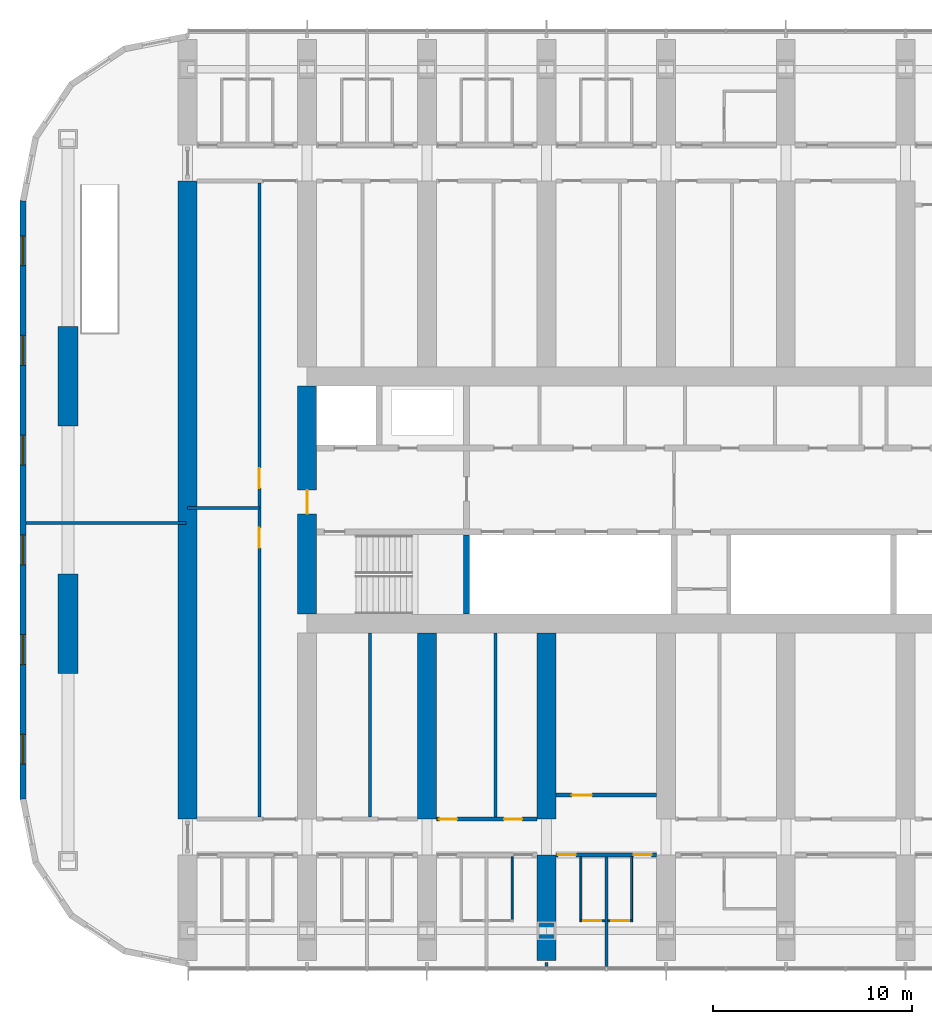
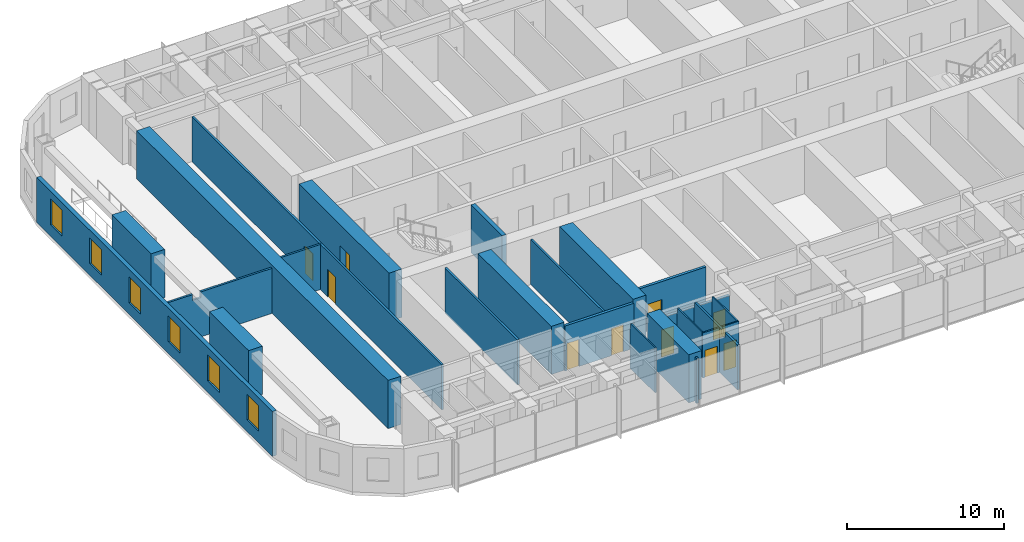
# One storey, part 9 of 22: 24 walls, 10 doors, 6 windows, 16 openings.
"""IFC4 building model written with IfcOpenShell, lengths in metres."""

from ifc_helpers import new_model, si_unit, direction, frame, frame_2d, origin, place, context, subcontext, project, spatial, polyline, rectangle, outline, extrude, material, layer, layer_set, type_object, element, fill, save


model = new_model("IFC4")

# Units and contexts
model_context = context("Model", 3, precision=1e-05, world=origin(), true_north=direction((0.0, 1.0)))
body_context = subcontext(model_context, "Body", "Model", "MODEL_VIEW")
ifc_project = project(units=[si_unit("LENGTHUNIT", "METRE"), si_unit("AREAUNIT", "SQUARE_METRE"), si_unit("VOLUMEUNIT", "CUBIC_METRE"), si_unit("PLANEANGLEUNIT", "RADIAN"), si_unit("MASSUNIT", "GRAM", prefix="KILO")], contexts=[model_context])

# Site, building, storey
site_placement = place(None, origin())
site = spatial("IfcSite", under=ifc_project, at=site_placement, CompositionType="ELEMENT")
building_placement = place(site_placement, origin())
building = spatial("IfcBuilding", under=site, at=building_placement, Name="Orbita Commons", CompositionType="ELEMENT")
storey_placement = place(building_placement, frame((0.0, 0.0, 118.14990234375)))
storey = spatial("IfcBuildingStorey", under=building, at=storey_placement, Name="L29", CompositionType="ELEMENT", Elevation=118.14990234375)

# Wall
ifc_material_1 = material(Name="Concrete C50/60", Category="concrete")
ifc_layer_1 = layer(ifc_material_1, 0.300048828125)
ifc_layer_set_1 = layer_set([ifc_layer_1], Name="Concrete C50/60")
wall_type_1 = type_object("IfcWallType", Name="Core inner wall 300 C50/60", PredefinedType="SHEAR", material=ifc_layer_set_1)
wall_1_placement = place(storey_placement, frame((26.0, 26.27490234375, 0.0), z_axis=(0.0, 0.0, 1.0), x_axis=(0.0, 1.0, 0.0)))
element("IfcWall", 1, at=wall_1_placement, inside=storey, type_object=wall_type_1, Name="Stair S1 wall L29", PredefinedType="SHEAR", context=body_context, shape_type="SweptSolid", body=[
    extrude(rectangle(XDim=3.97509765625, YDim=0.300048828125, at=frame_2d((1.987548828125, 0.0))), origin(), (0.0, 0.0, 1.0), 3.75),
])

# Wall, opening, door
ifc_material_2 = material(Name="Concrete C50/60", Category="concrete")
ifc_layer_2 = layer(ifc_material_2, 0.949951171875)
ifc_layer_set_2 = layer_set([ifc_layer_2], Name="Concrete C50/60")
wall_type_2 = type_object("IfcWallType", Name="Core wall 950 C50/60", PredefinedType="SHEAR", material=ifc_layer_set_2)
wall_2_placement = place(storey_placement, frame((18.0, 26.27490234375, 0.0), z_axis=(0.0, 0.0, 1.0), x_axis=(0.0, 1.0, 0.0)))
wall_2 = element("IfcWall", 2, at=wall_2_placement, inside=storey, type_object=wall_type_2, Name="Core end wall west L29", PredefinedType="SHEAR", context=body_context, shape_type="SweptSolid", body=[
    extrude(rectangle(XDim=11.4501953125, YDim=0.949951171875, at=frame_2d((5.72509765625, 0.0))), origin(), (0.0, 0.0, 1.0), 3.75),
])
opening_1_placement = place(wall_2_placement, frame((5.02490234375, 0.0, 0.0)))
opening_1 = element("IfcOpeningElement", 3, at=opening_1_placement, cuts=wall_2, Name="Opening D01", PredefinedType="OPENING", context=body_context, shape_type="SweptSolid", body=[
    extrude(rectangle(XDim=1.199951171875, YDim=2.10009765625, at=frame_2d((0.60009765625, 1.050048828125))), frame((0.0, 0.48486328125, 0.0), z_axis=(0.0, -1.0, 0.0), x_axis=(1.0, 0.0, 0.0)), (0.0, 0.0, 1.0), 0.969970703125),
])
ifc_material_3 = material(Name="Steel-faced fire door leaf", Category="steel")
door_type_1 = type_object("IfcDoorType", Name="Fire door 90 min 1200x2100", OperationType="SINGLE_SWING_LEFT", PredefinedType="DOOR", material=ifc_material_3)
door_1_placement = place(opening_1_placement, origin())
door_1 = element("IfcDoor", 4, at=door_1_placement, inside=storey, type_object=door_type_1, Name="Firefighting lobby west door", OperationType="SINGLE_SWING_LEFT", OverallHeight=2.10009765625, OverallWidth=1.199951171875, PredefinedType="DOOR", context=body_context, shape_type="SweptSolid", body=[
    extrude(rectangle(XDim=1.199951171875, YDim=2.10009765625, at=frame_2d((0.60009765625, 1.050048828125))), frame((0.0, 0.02490234375, 0.0), z_axis=(0.0, -1.0, 0.0), x_axis=(1.0, 0.0, 0.0)), (0.0, 0.0, 1.0), 0.050048828125),
])
fill(opening_1, door_1)

# Wall, openings, doors
ifc_material_4 = material(Name="Concrete blockwork", Category="masonry")
ifc_layer_3 = layer(ifc_material_4, 0.199951171875)
ifc_layer_set_3 = layer_set([ifc_layer_3], Name="Concrete blockwork")
wall_type_3 = type_object("IfcWallType", Name="Corridor wall 200 blockwork", PredefinedType="SOLIDWALL", material=ifc_layer_set_3)
wall_3_placement = place(storey_placement, frame((30.47509765625, 14.199951171875, 0.0), z_axis=(0.0, 0.0, 1.0), x_axis=(1.0, 0.0, 0.0)))
wall_3 = element("IfcWall", 5, at=wall_3_placement, inside=storey, type_object=wall_type_3, Name="Corridor wall 200 blockwork L29", PredefinedType="SOLIDWALL", context=body_context, shape_type="SweptSolid", body=[
    extrude(outline(polyline([(0.0, 0.0), (5.0498046875, 0.0), (5.050048828125, 3.10009765625), (0.0, 3.10009765625), (0.0, 0.0)])), frame((0.0, 0.10009765625, 0.0), z_axis=(0.0, -1.0, 0.0), x_axis=(1.0, 0.0, 0.0)), (0.0, 0.0, 1.0), 0.199951171875),
])
opening_2_placement = place(wall_3_placement, frame((0.10009765625, 0.0, 0.0)))
opening_2 = element("IfcOpeningElement", 6, at=opening_2_placement, cuts=wall_3, Name="Opening D11", PredefinedType="OPENING", context=body_context, shape_type="SweptSolid", body=[
    extrude(rectangle(XDim=0.89990234375, YDim=2.10009765625, at=frame_2d((0.449951171875, 1.050048828125))), frame((0.0, 0.10986328125, 0.0), z_axis=(0.0, -1.0, 0.0), x_axis=(1.0, 0.0, 0.0)), (0.0, 0.0, 1.0), 0.219970703125),
])
opening_3_placement = place(wall_3_placement, frame((3.89990234375, 0.0, 0.0)))
opening_3 = element("IfcOpeningElement", 7, at=opening_3_placement, cuts=wall_3, Name="Opening D11", PredefinedType="OPENING", context=body_context, shape_type="SweptSolid", body=[
    extrude(rectangle(XDim=0.89990234375, YDim=2.10009765625, at=frame_2d((0.449951171875, 1.050048828125))), frame((0.0, 0.10986328125, 0.0), z_axis=(0.0, -1.0, 0.0), x_axis=(1.0, 0.0, 0.0)), (0.0, 0.0, 1.0), 0.219970703125),
])
ifc_material_5 = material(Name="Steel-faced fire door leaf", Category="steel")
door_type_2 = type_object("IfcDoorType", Name="Corridor door 20 min 900x2100", OperationType="SINGLE_SWING_LEFT", PredefinedType="DOOR", material=ifc_material_5)
door_2_placement = place(opening_2_placement, origin())
door_2 = element("IfcDoor", 8, at=door_2_placement, inside=storey, type_object=door_type_2, Name="Cluster bedroom L29-S06 door", OperationType="SINGLE_SWING_LEFT", OverallHeight=2.10009765625, OverallWidth=0.89990234375, PredefinedType="DOOR", context=body_context, shape_type="SweptSolid", body=[
    extrude(rectangle(XDim=0.89990234375, YDim=2.10009765625, at=frame_2d((0.449951171875, 1.050048828125))), frame((0.0, 0.02490234375, 0.0), z_axis=(0.0, -1.0, 0.0), x_axis=(1.0, 0.0, 0.0)), (0.0, 0.0, 1.0), 0.050048828125),
])
fill(opening_2, door_2)
door_3_placement = place(opening_3_placement, origin())
door_3 = element("IfcDoor", 9, at=door_3_placement, inside=storey, type_object=door_type_2, Name="Cluster bedroom L29-S07 door", OperationType="SINGLE_SWING_LEFT", OverallHeight=2.10009765625, OverallWidth=0.89990234375, PredefinedType="DOOR", context=body_context, shape_type="SweptSolid", body=[
    extrude(rectangle(XDim=0.89990234375, YDim=2.10009765625, at=frame_2d((0.449951171875, 1.050048828125))), frame((0.0, 0.02490234375, 0.0), z_axis=(0.0, -1.0, 0.0), x_axis=(1.0, 0.0, 0.0)), (0.0, 0.0, 1.0), 0.050048828125),
])
fill(opening_3, door_3)

ifc_material_6 = material(Name="Hollow concrete block 200", Category="concrete")
ifc_layer_4 = layer(ifc_material_6, 0.199951171875)
ifc_layer_set_4 = layer_set([ifc_layer_4], Name="Hollow concrete block 200")
wall_type_4 = type_object("IfcWallType", Name="Corridor wall 200 hollow concrete block", PredefinedType="SOLIDWALL", material=ifc_layer_set_4)
wall_4_placement = place(storey_placement, frame((24.47509765625, 16.0, 0.0), z_axis=(0.0, 0.0, 1.0), x_axis=(1.0, 0.0, 0.0)))
wall_4 = element("IfcWall", 10, at=wall_4_placement, inside=storey, type_object=wall_type_4, Name="Corridor wall 200 hollow concrete block L29", PredefinedType="SOLIDWALL", context=body_context, shape_type="SweptSolid", body=[
    extrude(rectangle(XDim=5.0498046875, YDim=0.199951171875, at=frame_2d((2.52490234375, 0.0))), origin(), (0.0, 0.0, 1.0), 3.5),
])
opening_4_placement = place(wall_4_placement, frame((0.14990234375, 0.0, 0.0)))
opening_4 = element("IfcOpeningElement", 11, at=opening_4_placement, cuts=wall_4, Name="Opening D11", PredefinedType="OPENING", context=body_context, shape_type="SweptSolid", body=[
    extrude(rectangle(XDim=0.89990234375, YDim=2.10009765625, at=frame_2d((0.449951171875, 1.050048828125))), frame((0.0, 0.10986328125, 0.0), z_axis=(0.0, -1.0, 0.0), x_axis=(1.0, 0.0, 0.0)), (0.0, 0.0, 1.0), 0.219970703125),
])
opening_5_placement = place(wall_4_placement, frame((3.405029296875, 0.0, 0.0)))
opening_5 = element("IfcOpeningElement", 12, at=opening_5_placement, cuts=wall_4, Name="Opening D11", PredefinedType="OPENING", context=body_context, shape_type="SweptSolid", body=[
    extrude(rectangle(XDim=0.89990234375, YDim=2.10009765625, at=frame_2d((0.449951171875, 1.050048828125))), frame((0.0, 0.10986328125, 0.0), z_axis=(0.0, -1.0, 0.0), x_axis=(1.0, 0.0, 0.0)), (0.0, 0.0, 1.0), 0.219970703125),
])
door_4_placement = place(opening_4_placement, origin())
door_4 = element("IfcDoor", 13, at=door_4_placement, inside=storey, type_object=door_type_2, Name="Quiet room L29-BDS24 door", OperationType="SINGLE_SWING_LEFT", OverallHeight=2.10009765625, OverallWidth=0.89990234375, PredefinedType="DOOR", context=body_context, shape_type="SweptSolid", body=[
    extrude(rectangle(XDim=0.89990234375, YDim=2.10009765625, at=frame_2d((0.449951171875, 1.050048828125))), frame((0.0, 0.02490234375, 0.0), z_axis=(0.0, -1.0, 0.0), x_axis=(1.0, 0.0, 0.0)), (0.0, 0.0, 1.0), 0.050048828125),
])
fill(opening_4, door_4)
door_5_placement = place(opening_5_placement, origin())
door_5 = element("IfcDoor", 14, at=door_5_placement, inside=storey, type_object=door_type_2, Name="Equipment store L29-BDS24n door", OperationType="SINGLE_SWING_LEFT", OverallHeight=2.10009765625, OverallWidth=0.89990234375, PredefinedType="DOOR", context=body_context, shape_type="SweptSolid", body=[
    extrude(rectangle(XDim=0.89990234375, YDim=2.10009765625, at=frame_2d((0.449951171875, 1.050048828125))), frame((0.0, 0.02490234375, 0.0), z_axis=(0.0, -1.0, 0.0), x_axis=(1.0, 0.0, 0.0)), (0.0, 0.0, 1.0), 0.050048828125),
])
fill(opening_5, door_5)

# Wall, opening, door
wall_5_placement = place(storey_placement, frame((30.47509765625, 17.199951171875, 0.0), z_axis=(0.0, 0.0, 1.0), x_axis=(1.0, 0.0, 0.0)))
wall_5 = element("IfcWall", 15, at=wall_5_placement, inside=storey, type_object=wall_type_4, Name="Corridor wall 200 hollow concrete block L29", PredefinedType="SOLIDWALL", context=body_context, shape_type="SweptSolid", body=[
    extrude(rectangle(XDim=5.0498046875, YDim=0.199951171875, at=frame_2d((2.52490234375, 0.0))), origin(), (0.0, 0.0, 1.0), 3.5),
])
opening_6_placement = place(wall_5_placement, frame((0.800048828125, 0.0, 0.0)))
opening_6 = element("IfcOpeningElement", 16, at=opening_6_placement, cuts=wall_5, Name="Opening D06", PredefinedType="OPENING", context=body_context, shape_type="SweptSolid", body=[
    extrude(rectangle(XDim=1.0, YDim=2.10009765625, at=frame_2d((0.5, 1.050048828125))), frame((0.0, 0.10986328125, 0.0), z_axis=(0.0, -1.0, 0.0), x_axis=(1.0, 0.0, 0.0)), (0.0, 0.0, 1.0), 0.219970703125),
])
ifc_material_7 = material(Name="Steel-faced fire door leaf", Category="steel")
door_type_3 = type_object("IfcDoorType", Name="Corridor door 20 min 1000x2100", OperationType="SINGLE_SWING_LEFT", PredefinedType="DOOR", material=ifc_material_7)
door_6_placement = place(opening_6_placement, origin())
door_6 = element("IfcDoor", 17, at=door_6_placement, inside=storey, type_object=door_type_3, Name="Linen store L29-BDS30 door", OperationType="SINGLE_SWING_LEFT", OverallHeight=2.10009765625, OverallWidth=1.0, PredefinedType="DOOR", context=body_context, shape_type="SweptSolid", body=[
    extrude(rectangle(XDim=1.0, YDim=2.10009765625, at=frame_2d((0.5, 1.050048828125))), frame((0.0, 0.02490234375, 0.0), z_axis=(0.0, -1.0, 0.0), x_axis=(1.0, 0.0, 0.0)), (0.0, 0.0, 1.0), 0.050048828125),
])
fill(opening_6, door_6)

# Walls
ifc_material_8 = material(Name="Concrete C50/60", Category="concrete")
ifc_layer_5 = layer(ifc_material_8, 0.949951171875)
ifc_layer_set_5 = layer_set([ifc_layer_5], Name="Concrete C50/60")
wall_type_5 = type_object("IfcWallType", Name="Cross wall 950 C50/60", PredefinedType="SHEAR", material=ifc_layer_set_5)
wall_6_placement = place(storey_placement, frame((12.0, 16.0, 0.0), z_axis=(0.0, 0.0, 1.0), x_axis=(0.0, 1.0, 0.0)))
element("IfcWall", 18, at=wall_6_placement, inside=storey, type_object=wall_type_5, Name="Cross wall 3 inner L29", PredefinedType="SHEAR", context=body_context, shape_type="SweptSolid", body=[
    extrude(rectangle(XDim=32.0, YDim=0.949951171875, at=frame_2d((16.0, 0.0))), origin(), (0.0, 0.0, 1.0), 3.75),
])
wall_7_placement = place(storey_placement, frame((24.0, 16.0, 0.0), z_axis=(0.0, 0.0, 1.0), x_axis=(0.0, 1.0, 0.0)))
element("IfcWall", 19, at=wall_7_placement, inside=storey, type_object=wall_type_5, Name="Cross wall 5 south inner L29", PredefinedType="SHEAR", context=body_context, shape_type="SweptSolid", body=[
    extrude(rectangle(XDim=9.324951171875, YDim=0.949951171875, at=frame_2d((4.66259765625, 0.0))), origin(), (0.0, 0.0, 1.0), 3.75),
])
wall_8_placement = place(storey_placement, frame((30.0, 8.89990234375, 0.0), z_axis=(0.0, 0.0, 1.0), x_axis=(0.0, 1.0, 0.0)))
element("IfcWall", 20, at=wall_8_placement, inside=storey, type_object=wall_type_5, Name="Cross wall 6 south outer L29", PredefinedType="SHEAR", context=body_context, shape_type="SweptSolid", body=[
    extrude(rectangle(XDim=5.300048828125, YDim=0.949951171875, at=frame_2d((2.64990234375, 0.0))), origin(), (0.0, 0.0, 1.0), 3.75),
])
wall_9_placement = place(storey_placement, frame((30.0, 16.0, 0.0), z_axis=(0.0, 0.0, 1.0), x_axis=(0.0, 1.0, 0.0)))
element("IfcWall", 21, at=wall_9_placement, inside=storey, type_object=wall_type_5, Name="Cross wall 6 south inner L29", PredefinedType="SHEAR", context=body_context, shape_type="SweptSolid", body=[
    extrude(rectangle(XDim=9.324951171875, YDim=0.949951171875, at=frame_2d((4.66259765625, 0.0))), origin(), (0.0, 0.0, 1.0), 3.75),
])
ifc_material_9 = material(Name="Moisture-resistant plasterboard on steel studs", Category="steel")
ifc_layer_6 = layer(ifc_material_9, 0.10009765625)
ifc_layer_set_6 = layer_set([ifc_layer_6], Name="Moisture-resistant plasterboard on steel studs")
wall_type_6 = type_object("IfcWallType", Name="En-suite partition 100", PredefinedType="PARTITIONING", material=ifc_layer_set_6)
wall_10_placement = place(storey_placement, frame((28.27490234375, 10.949951171875, 0.0), z_axis=(0.0, 0.0, 1.0), x_axis=(0.0, 1.0, 0.0)))
element("IfcWall", 22, at=wall_10_placement, inside=storey, type_object=wall_type_6, Name="En-suite partition 100 L29", PredefinedType="PARTITIONING", context=body_context, shape_type="SweptSolid", body=[
    extrude(outline(polyline([(0.0, 0.0), (3.150146484375, 0.0), (3.14990234375, 3.10009765625), (3.10205078125, 3.10009765625), (3.10009765625, 3.5), (0.0, 3.5), (0.0, 0.0)])), frame((0.0, 0.050048828125, 0.0), z_axis=(0.0, -1.0, 0.0), x_axis=(1.0, 0.0, 0.0)), (0.0, 0.0, 1.0), 0.10009765625),
])

# Wall, opening, door
wall_11_placement = place(storey_placement, frame((32.925048828125, 10.89990234375, 0.0), z_axis=(0.0, 0.0, 1.0), x_axis=(-1.0, 0.0, 0.0)))
wall_11 = element("IfcWall", 23, at=wall_11_placement, inside=storey, type_object=wall_type_6, Name="En-suite partition 100 L29", PredefinedType="PARTITIONING", context=body_context, shape_type="SweptSolid", body=[
    extrude(rectangle(XDim=1.25, YDim=0.10009765625, at=frame_2d((0.625, 0.0))), origin(), (0.0, 0.0, 1.0), 3.5),
])
opening_7_placement = place(wall_11_placement, frame((0.175048828125, 0.0, 0.0)))
opening_7 = element("IfcOpeningElement", 24, at=opening_7_placement, cuts=wall_11, Name="Opening D09", PredefinedType="OPENING", context=body_context, shape_type="SweptSolid", body=[
    extrude(rectangle(XDim=0.89990234375, YDim=2.10009765625, at=frame_2d((0.449951171875, 1.050048828125))), frame((0.0, 0.06005859375, 0.0), z_axis=(0.0, -1.0, 0.0), x_axis=(1.0, 0.0, 0.0)), (0.0, 0.0, 1.0), 0.1201171875),
])
ifc_material_10 = material(Name="Laminated timber door leaf", Category="wood")
door_type_4 = type_object("IfcDoorType", Name="En-suite door 900x2100", OperationType="SINGLE_SWING_RIGHT", PredefinedType="DOOR", material=ifc_material_10)
door_7_placement = place(opening_7_placement, origin())
door_7 = element("IfcDoor", 25, at=door_7_placement, inside=storey, type_object=door_type_4, Name="En-suite L29-S06 door", OperationType="SINGLE_SWING_RIGHT", OverallHeight=2.10009765625, OverallWidth=0.89990234375, PredefinedType="DOOR", context=body_context, shape_type="SweptSolid", body=[
    extrude(rectangle(XDim=0.89990234375, YDim=2.10009765625, at=frame_2d((0.449951171875, 1.050048828125))), frame((0.0, 0.02490234375, 0.0), z_axis=(0.0, -1.0, 0.0), x_axis=(1.0, 0.0, 0.0)), (0.0, 0.0, 1.0), 0.050048828125),
])
fill(opening_7, door_7)

# Wall
wall_12_placement = place(storey_placement, frame((31.72509765625, 10.949951171875, 0.0), z_axis=(0.0, 0.0, 1.0), x_axis=(0.0, 1.0, 0.0)))
element("IfcWall", 26, at=wall_12_placement, inside=storey, type_object=wall_type_6, Name="En-suite partition 100 L29", PredefinedType="PARTITIONING", context=body_context, shape_type="SweptSolid", body=[
    extrude(outline(polyline([(0.0, 0.0), (3.150146484375, 0.0), (3.14990234375, 3.10009765625), (3.10205078125, 3.10009765625), (3.10009765625, 3.5), (0.0, 3.5), (0.0, 0.0)])), frame((0.0, 0.050048828125, 0.0), z_axis=(0.0, -1.0, 0.0), x_axis=(1.0, 0.0, 0.0)), (0.0, 0.0, 1.0), 0.10009765625),
])

# Wall, opening, door
wall_13_placement = place(storey_placement, frame((34.324951171875, 10.89990234375, 0.0), z_axis=(0.0, 0.0, 1.0), x_axis=(-1.0, 0.0, 0.0)))
wall_13 = element("IfcWall", 27, at=wall_13_placement, inside=storey, type_object=wall_type_6, Name="En-suite partition 100 L29", PredefinedType="PARTITIONING", context=body_context, shape_type="SweptSolid", body=[
    extrude(rectangle(XDim=1.25, YDim=0.10009765625, at=frame_2d((0.625, 0.0))), origin(), (0.0, 0.0, 1.0), 3.5),
])
opening_8_placement = place(wall_13_placement, frame((0.175048828125, 0.0, 0.0)))
opening_8 = element("IfcOpeningElement", 28, at=opening_8_placement, cuts=wall_13, Name="Opening D09", PredefinedType="OPENING", context=body_context, shape_type="SweptSolid", body=[
    extrude(rectangle(XDim=0.89990234375, YDim=2.10009765625, at=frame_2d((0.449951171875, 1.050048828125))), frame((0.0, 0.06005859375, 0.0), z_axis=(0.0, -1.0, 0.0), x_axis=(1.0, 0.0, 0.0)), (0.0, 0.0, 1.0), 0.1201171875),
])
door_8_placement = place(opening_8_placement, origin())
door_8 = element("IfcDoor", 29, at=door_8_placement, inside=storey, type_object=door_type_4, Name="En-suite L29-S07 door", OperationType="SINGLE_SWING_RIGHT", OverallHeight=2.10009765625, OverallWidth=0.89990234375, PredefinedType="DOOR", context=body_context, shape_type="SweptSolid", body=[
    extrude(rectangle(XDim=0.89990234375, YDim=2.10009765625, at=frame_2d((0.449951171875, 1.050048828125))), frame((0.0, 0.02490234375, 0.0), z_axis=(0.0, -1.0, 0.0), x_axis=(1.0, 0.0, 0.0)), (0.0, 0.0, 1.0), 0.050048828125),
])
fill(opening_8, door_8)

# Walls
wall_14_placement = place(storey_placement, frame((34.27490234375, 10.949951171875, 0.0), z_axis=(0.0, 0.0, 1.0), x_axis=(0.0, 1.0, 0.0)))
element("IfcWall", 30, at=wall_14_placement, inside=storey, type_object=wall_type_6, Name="En-suite partition 100 L29", PredefinedType="PARTITIONING", context=body_context, shape_type="SweptSolid", body=[
    extrude(outline(polyline([(0.0, 0.0), (3.150146484375, 0.0), (3.14990234375, 3.10009765625), (3.10205078125, 3.10009765625), (3.10009765625, 3.5), (0.0, 3.5), (0.0, 0.0)])), frame((0.0, 0.050048828125, 0.0), z_axis=(0.0, -1.0, 0.0), x_axis=(1.0, 0.0, 0.0)), (0.0, 0.0, 1.0), 0.10009765625),
])
ifc_material_11 = material(Name="Concrete C50/60", Category="concrete")
ifc_layer_7 = layer(ifc_material_11, 1.0)
ifc_layer_set_7 = layer_set([ifc_layer_7], Name="Concrete C50/60")
wall_type_7 = type_object("IfcWallType", Name="End pier 1000x5000 C50/60", PredefinedType="SHEAR", material=ifc_layer_set_7)
for number, where, z_axis, x_axis, name in (
    (31, (6.0, 23.300048828125, 0.0), (0.0, 0.0, 1.0), (0.0, 1.0, 0.0), "End pier 2/C L29"),
    (32, (6.0, 35.699951171875, 0.0), (0.0, 0.0, 1.0), (0.0, 1.0, 0.0), "End pier 2/D L29"),
):
    element("IfcWall", number, at=place(storey_placement, frame(where, z_axis=z_axis, x_axis=x_axis)), inside=storey, type_object=wall_type_7, Name=name, PredefinedType="SHEAR", context=body_context, shape_type="SweptSolid", body=[
        extrude(rectangle(XDim=5.0, YDim=1.0, at=frame_2d((2.5, 0.0))), origin(), (0.0, 0.0, 1.0), 3.75),
    ])
ifc_material_12 = material(Name="Gypsum plasterboard on steel studs", Category="steel")
ifc_layer_8 = layer(ifc_material_12, 0.14990234375)
ifc_layer_set_8 = layer_set([ifc_layer_8], Name="Gypsum plasterboard on steel studs")
wall_type_8 = type_object("IfcWallType", Name="Partition 150 plasterboard", PredefinedType="PARTITIONING", material=ifc_layer_set_8)
for number, where, z_axis, x_axis, name in (
    (33, (21.155029296875, 16.10009765625, 0.0), (0.0, 0.0, 1.0), (0.0, 1.0, 0.0), "Partition 150 plasterboard L29"),
    (34, (27.455078125, 16.10009765625, 0.0), (0.0, 0.0, 1.0), (0.0, 1.0, 0.0), "Partition 150 plasterboard L29"),
):
    element("IfcWall", number, at=place(storey_placement, frame(where, z_axis=z_axis, x_axis=x_axis)), inside=storey, type_object=wall_type_8, Name=name, PredefinedType="PARTITIONING", context=body_context, shape_type="SweptSolid", body=[
        extrude(rectangle(XDim=9.224853515625, YDim=0.14990234375, at=frame_2d((4.6123046875, 0.0))), origin(), (0.0, 0.0, 1.0), 3.5),
    ])

# Wall, openings, doors
wall_15_placement = place(storey_placement, frame((15.60009765625, 16.10009765625, 0.0), z_axis=(0.0, 0.0, 1.0), x_axis=(0.0, 1.0, 0.0)))
wall_15 = element("IfcWall", 35, at=wall_15_placement, inside=storey, type_object=wall_type_8, Name="Partition 150 plasterboard L29", PredefinedType="PARTITIONING", context=body_context, shape_type="SweptSolid", body=[
    extrude(rectangle(XDim=31.7998046875, YDim=0.14990234375, at=frame_2d((15.89990234375, 0.0))), origin(), (0.0, 0.0, 1.0), 3.5),
])
opening_9_placement = place(wall_15_placement, frame((13.5, 0.0, 0.0)))
opening_9 = element("IfcOpeningElement", 36, at=opening_9_placement, cuts=wall_15, Name="Opening D06", PredefinedType="OPENING", context=body_context, shape_type="SweptSolid", body=[
    extrude(rectangle(XDim=1.0, YDim=2.10009765625, at=frame_2d((0.5, 1.050048828125))), frame((0.0, 0.0849609375, 0.0), z_axis=(0.0, -1.0, 0.0), x_axis=(1.0, 0.0, 0.0)), (0.0, 0.0, 1.0), 0.169921875),
])
opening_10_placement = place(wall_15_placement, frame((16.5, 0.0, 0.0)))
opening_10 = element("IfcOpeningElement", 37, at=opening_10_placement, cuts=wall_15, Name="Opening D06", PredefinedType="OPENING", context=body_context, shape_type="SweptSolid", body=[
    extrude(rectangle(XDim=1.0, YDim=2.10009765625, at=frame_2d((0.5, 1.050048828125))), frame((0.0, 0.0849609375, 0.0), z_axis=(0.0, -1.0, 0.0), x_axis=(1.0, 0.0, 0.0)), (0.0, 0.0, 1.0), 0.169921875),
])
door_9_placement = place(opening_9_placement, origin())
door_9 = element("IfcDoor", 38, at=door_9_placement, inside=storey, type_object=door_type_3, Name="Interview room door", OperationType="SINGLE_SWING_LEFT", OverallHeight=2.10009765625, OverallWidth=1.0, PredefinedType="DOOR", context=body_context, shape_type="SweptSolid", body=[
    extrude(rectangle(XDim=1.0, YDim=2.10009765625, at=frame_2d((0.5, 1.050048828125))), frame((0.0, 0.02490234375, 0.0), z_axis=(0.0, -1.0, 0.0), x_axis=(1.0, 0.0, 0.0)), (0.0, 0.0, 1.0), 0.050048828125),
])
fill(opening_9, door_9)
door_10_placement = place(opening_10_placement, origin())
door_10 = element("IfcDoor", 39, at=door_10_placement, inside=storey, type_object=door_type_3, Name="Prayer room door", OperationType="SINGLE_SWING_LEFT", OverallHeight=2.10009765625, OverallWidth=1.0, PredefinedType="DOOR", context=body_context, shape_type="SweptSolid", body=[
    extrude(rectangle(XDim=1.0, YDim=2.10009765625, at=frame_2d((0.5, 1.050048828125))), frame((0.0, 0.02490234375, 0.0), z_axis=(0.0, -1.0, 0.0), x_axis=(1.0, 0.0, 0.0)), (0.0, 0.0, 1.0), 0.050048828125),
])
fill(opening_10, door_10)

# Walls
wall_16_placement = place(storey_placement, frame((12.0, 31.60009765625, 0.0), z_axis=(0.0, 0.0, 1.0), x_axis=(1.0, 0.0, 0.0)))
element("IfcWall", 40, at=wall_16_placement, inside=storey, type_object=wall_type_8, Name="Partition 150 plasterboard L29", PredefinedType="PARTITIONING", context=body_context, shape_type="SweptSolid", body=[
    extrude(rectangle(XDim=3.60009765625, YDim=0.14990234375, at=frame_2d((1.800048828125, 0.0))), origin(), (0.0, 0.0, 1.0), 3.5),
])
wall_17_placement = place(storey_placement, frame((3.905029296875, 30.85009765625, 0.0), z_axis=(0.0, 0.0, 1.0), x_axis=(1.0, 0.0, 0.0)))
element("IfcWall", 41, at=wall_17_placement, inside=storey, type_object=wall_type_8, Name="Partition 150 plasterboard L29", PredefinedType="PARTITIONING", context=body_context, shape_type="SweptSolid", body=[
    extrude(outline(polyline([(0.0, 0.0), (8.02001953125, 0.0), (8.02001953125, 3.5), (2.39697265625, 3.5), (2.39501953125, 3.050048828125), (1.797119140625, 3.050048828125), (1.794921875, 3.5), (0.0, 3.5), (0.0, 0.0)])), frame((0.0, 0.074951171875, 0.0), z_axis=(0.0, -1.0, 0.0), x_axis=(1.0, 0.0, 0.0)), (0.0, 0.0, 1.0), 0.14990234375),
])
wall_18_placement = place(storey_placement, frame((30.0, 8.800048828125, 0.0), z_axis=(0.0, 0.0, 1.0), x_axis=(0.0, -1.0, 0.0)))
element("IfcWall", 42, at=wall_18_placement, inside=storey, type_object=wall_type_8, Name="Partition 150 plasterboard L29", PredefinedType="PARTITIONING", context=body_context, shape_type="SweptSolid", body=[
    extrude(rectangle(XDim=0.18994140625, YDim=0.14990234375, at=frame_2d((0.094970703125, 0.0))), origin(), (0.0, 0.0, 1.0), 3.5),
])
ifc_material_13 = material(Name="Gypsum plasterboard on steel studs", Category="steel")
ifc_layer_9 = layer(ifc_material_13, 0.14990234375)
ifc_layer_set_9 = layer_set([ifc_layer_9], Name="Gypsum plasterboard on steel studs")
wall_type_9 = type_object("IfcWallType", Name="Party wall 150 plasterboard", PredefinedType="PARTITIONING", material=ifc_layer_set_9)
wall_19_placement = place(storey_placement, frame((33.0, 8.610107421875, 0.0), z_axis=(0.0, 0.0, 1.0), x_axis=(0.0, 1.0, 0.0)))
element("IfcWall", 43, at=wall_19_placement, inside=storey, type_object=wall_type_9, Name="Party wall 150 plasterboard L29", PredefinedType="PARTITIONING", context=body_context, shape_type="SweptSolid", body=[
    extrude(outline(polyline([(0.0, 0.0), (5.489990234375, 0.0), (5.489990234375, 3.10009765625), (5.44189453125, 3.10009765625), (5.43994140625, 3.5), (1.991943359375, 3.5), (1.989990234375, 3.10009765625), (1.592041015625, 3.10009765625), (1.590087890625, 3.5), (0.0, 3.5), (0.0, 0.0)])), frame((0.0, 0.074951171875, 0.0), z_axis=(0.0, -1.0, 0.0), x_axis=(1.0, 0.0, 0.0)), (0.0, 0.0, 1.0), 0.14990234375),
])

# Wall, openings, windows
ifc_material_14 = material(Name="Precast concrete C40/50, white board-marked finish", Category="concrete")
ifc_layer_10 = layer(ifc_material_14, 0.300048828125)
ifc_layer_set_10 = layer_set([ifc_layer_10], Name="Precast concrete C40/50, white board-marked finish")
wall_type_10 = type_object("IfcWallType", Name="Precast concrete end shield 300", PredefinedType="SOLIDWALL", material=ifc_layer_set_10)
wall_20_placement = place(storey_placement, frame((3.75, 47.0, 0.0), z_axis=(0.0, 0.0, 1.0), x_axis=(0.0, -1.0, 0.0)))
wall_20 = element("IfcWall", 44, at=wall_20_placement, inside=storey, type_object=wall_type_10, Name="End shield W L29", PredefinedType="SOLIDWALL", context=body_context, shape_type="SweptSolid", body=[
    extrude(outline(polyline([(-0.014892578125, -0.14990234375), (30.014892578125, -0.14990234375), (29.985107421875, 0.14990234375), (0.014892578125, 0.14990234375), (-0.014892578125, -0.14990234375)])), origin(), (0.0, 0.0, 1.0), 3.5),
])
opening_11_placement = place(wall_20_placement, frame((1.75, 0.0, 0.89990234375)))
opening_11 = element("IfcOpeningElement", 45, at=opening_11_placement, cuts=wall_20, Name="Opening W01", PredefinedType="OPENING", context=body_context, shape_type="SweptSolid", body=[
    extrude(rectangle(XDim=1.5, YDim=2.0, at=frame_2d((0.75, 1.0))), frame((0.0, 0.159912109375, 0.0), z_axis=(0.0, -1.0, 0.0), x_axis=(1.0, 0.0, 0.0)), (0.0, 0.0, 1.0), 0.320068359375),
])
opening_12_placement = place(wall_20_placement, frame((6.75, 0.0, 0.89990234375)))
opening_12 = element("IfcOpeningElement", 46, at=opening_12_placement, cuts=wall_20, Name="Opening W01", PredefinedType="OPENING", context=body_context, shape_type="SweptSolid", body=[
    extrude(rectangle(XDim=1.5, YDim=2.0, at=frame_2d((0.75, 1.0))), frame((0.0, 0.159912109375, 0.0), z_axis=(0.0, -1.0, 0.0), x_axis=(1.0, 0.0, 0.0)), (0.0, 0.0, 1.0), 0.320068359375),
])
opening_13_placement = place(wall_20_placement, frame((11.75, 0.0, 0.89990234375)))
opening_13 = element("IfcOpeningElement", 47, at=opening_13_placement, cuts=wall_20, Name="Opening W01", PredefinedType="OPENING", context=body_context, shape_type="SweptSolid", body=[
    extrude(rectangle(XDim=1.5, YDim=2.0, at=frame_2d((0.75, 1.0))), frame((0.0, 0.159912109375, 0.0), z_axis=(0.0, -1.0, 0.0), x_axis=(1.0, 0.0, 0.0)), (0.0, 0.0, 1.0), 0.320068359375),
])
opening_14_placement = place(wall_20_placement, frame((16.75, 0.0, 0.89990234375)))
opening_14 = element("IfcOpeningElement", 48, at=opening_14_placement, cuts=wall_20, Name="Opening W01", PredefinedType="OPENING", context=body_context, shape_type="SweptSolid", body=[
    extrude(rectangle(XDim=1.5, YDim=2.0, at=frame_2d((0.75, 1.0))), frame((0.0, 0.159912109375, 0.0), z_axis=(0.0, -1.0, 0.0), x_axis=(1.0, 0.0, 0.0)), (0.0, 0.0, 1.0), 0.320068359375),
])
opening_15_placement = place(wall_20_placement, frame((21.75, 0.0, 0.89990234375)))
opening_15 = element("IfcOpeningElement", 49, at=opening_15_placement, cuts=wall_20, Name="Opening W01", PredefinedType="OPENING", context=body_context, shape_type="SweptSolid", body=[
    extrude(rectangle(XDim=1.5, YDim=2.0, at=frame_2d((0.75, 1.0))), frame((0.0, 0.159912109375, 0.0), z_axis=(0.0, -1.0, 0.0), x_axis=(1.0, 0.0, 0.0)), (0.0, 0.0, 1.0), 0.320068359375),
])
opening_16_placement = place(wall_20_placement, frame((26.75, 0.0, 0.89990234375)))
opening_16 = element("IfcOpeningElement", 50, at=opening_16_placement, cuts=wall_20, Name="Opening W01", PredefinedType="OPENING", context=body_context, shape_type="SweptSolid", body=[
    extrude(rectangle(XDim=1.5, YDim=2.0, at=frame_2d((0.75, 1.0))), frame((0.0, 0.159912109375, 0.0), z_axis=(0.0, -1.0, 0.0), x_axis=(1.0, 0.0, 0.0)), (0.0, 0.0, 1.0), 0.320068359375),
])
ifc_material_15 = material(Name="Aluminium frame, clear double glazing", Category="aluminium")
window_type = type_object("IfcWindowType", Name="Deep-set window 1500x2000", PartitioningType="SINGLE_PANEL", PredefinedType="WINDOW", material=ifc_material_15)
window_1_placement = place(opening_11_placement, origin())
window_1 = element("IfcWindow", 51, at=window_1_placement, inside=storey, type_object=window_type, Name="Window L29-W 1", OverallHeight=2.0, OverallWidth=1.5, PartitioningType="SINGLE_PANEL", PredefinedType="WINDOW", context=body_context, shape_type="SweptSolid", body=[
    extrude(rectangle(XDim=1.5, YDim=2.0, at=frame_2d((0.75, 1.0))), frame((0.0, 0.030029296875, 0.0), z_axis=(0.0, -1.0, 0.0), x_axis=(1.0, 0.0, 0.0)), (0.0, 0.0, 1.0), 0.06005859375),
])
fill(opening_11, window_1)
window_2_placement = place(opening_12_placement, origin())
window_2 = element("IfcWindow", 52, at=window_2_placement, inside=storey, type_object=window_type, Name="Window L29-W 2", OverallHeight=2.0, OverallWidth=1.5, PartitioningType="SINGLE_PANEL", PredefinedType="WINDOW", context=body_context, shape_type="SweptSolid", body=[
    extrude(rectangle(XDim=1.5, YDim=2.0, at=frame_2d((0.75, 1.0))), frame((0.0, 0.030029296875, 0.0), z_axis=(0.0, -1.0, 0.0), x_axis=(1.0, 0.0, 0.0)), (0.0, 0.0, 1.0), 0.06005859375),
])
fill(opening_12, window_2)
window_3_placement = place(opening_13_placement, origin())
window_3 = element("IfcWindow", 53, at=window_3_placement, inside=storey, type_object=window_type, Name="Window L29-W 3", OverallHeight=2.0, OverallWidth=1.5, PartitioningType="SINGLE_PANEL", PredefinedType="WINDOW", context=body_context, shape_type="SweptSolid", body=[
    extrude(rectangle(XDim=1.5, YDim=2.0, at=frame_2d((0.75, 1.0))), frame((0.0, 0.030029296875, 0.0), z_axis=(0.0, -1.0, 0.0), x_axis=(1.0, 0.0, 0.0)), (0.0, 0.0, 1.0), 0.06005859375),
])
fill(opening_13, window_3)
window_4_placement = place(opening_14_placement, origin())
window_4 = element("IfcWindow", 54, at=window_4_placement, inside=storey, type_object=window_type, Name="Window L29-W 4", OverallHeight=2.0, OverallWidth=1.5, PartitioningType="SINGLE_PANEL", PredefinedType="WINDOW", context=body_context, shape_type="SweptSolid", body=[
    extrude(rectangle(XDim=1.5, YDim=2.0, at=frame_2d((0.75, 1.0))), frame((0.0, 0.030029296875, 0.0), z_axis=(0.0, -1.0, 0.0), x_axis=(1.0, 0.0, 0.0)), (0.0, 0.0, 1.0), 0.06005859375),
])
fill(opening_14, window_4)
window_5_placement = place(opening_15_placement, origin())
window_5 = element("IfcWindow", 55, at=window_5_placement, inside=storey, type_object=window_type, Name="Window L29-W 5", OverallHeight=2.0, OverallWidth=1.5, PartitioningType="SINGLE_PANEL", PredefinedType="WINDOW", context=body_context, shape_type="SweptSolid", body=[
    extrude(rectangle(XDim=1.5, YDim=2.0, at=frame_2d((0.75, 1.0))), frame((0.0, 0.030029296875, 0.0), z_axis=(0.0, -1.0, 0.0), x_axis=(1.0, 0.0, 0.0)), (0.0, 0.0, 1.0), 0.06005859375),
])
fill(opening_15, window_5)
window_6_placement = place(opening_16_placement, origin())
window_6 = element("IfcWindow", 56, at=window_6_placement, inside=storey, type_object=window_type, Name="Window L29-W 6", OverallHeight=2.0, OverallWidth=1.5, PartitioningType="SINGLE_PANEL", PredefinedType="WINDOW", context=body_context, shape_type="SweptSolid", body=[
    extrude(rectangle(XDim=1.5, YDim=2.0, at=frame_2d((0.75, 1.0))), frame((0.0, 0.030029296875, 0.0), z_axis=(0.0, -1.0, 0.0), x_axis=(1.0, 0.0, 0.0)), (0.0, 0.0, 1.0), 0.06005859375),
])
fill(opening_16, window_6)

save(model, "model.ifc")
